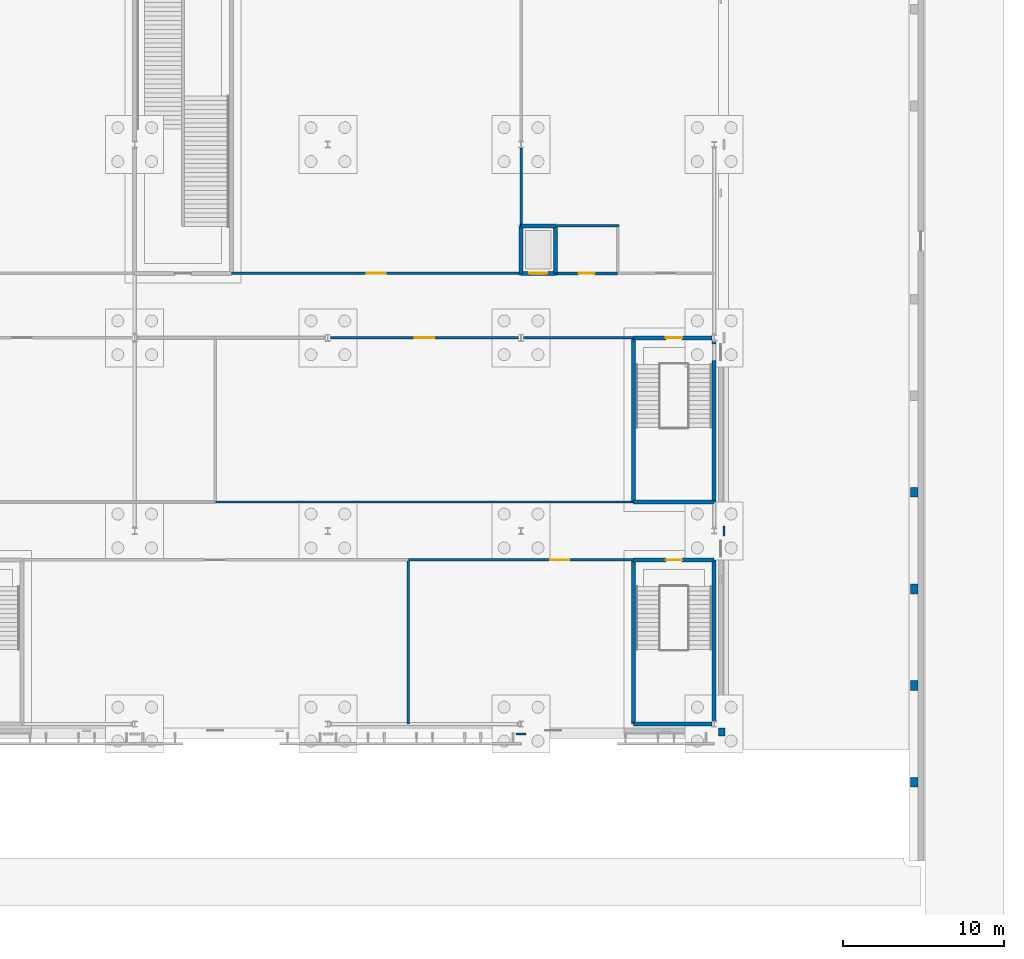
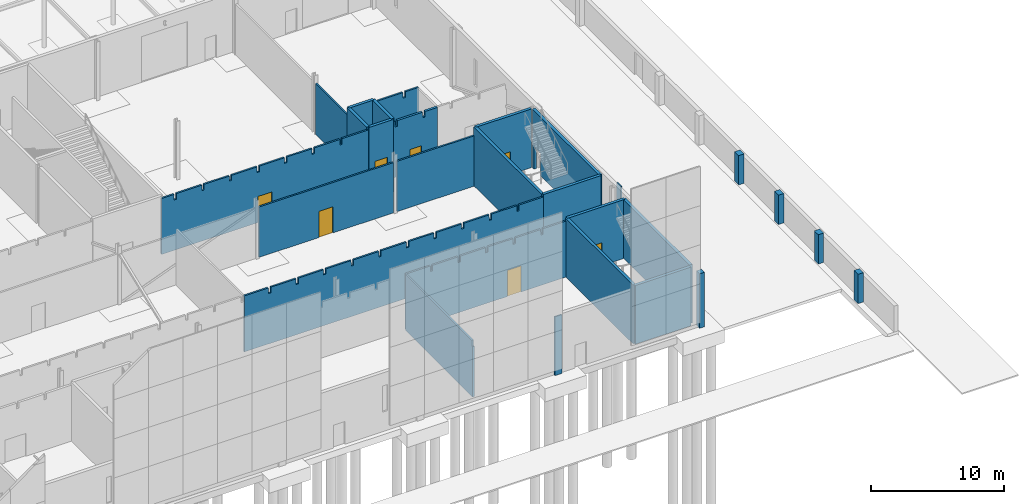
# One storey, part 89 of 132: 28 walls, 7 doors, 8 openings.
"""IFC4 building model written with IfcOpenShell, lengths in metres."""

import ifcopenshell
import ifcopenshell.guid

model = None  # the IFC model being written
_history = None  # IfcOwnerHistory: only IFC2X3 demands one
_inside = {}  # id of a spatial element -> (the spatial element, [elements in it])
_under = {}  # id of a project, library or spatial element -> (it, [spatial elements below it])
_declared = {}  # id of a project -> (the project, [libraries it declares])
_typed = {}  # id of a type object -> (the type object, [elements of that type])
_made_of = {}  # id of a material, layer set ... -> (it, [elements and type objects made of it])


def new_model(schema):
    """Start an empty IFC model of exactly this schema.

    Asked for "IFC4X3", IfcOpenShell would pick the latest addendum, in which some entities
    have other attributes; the version numbers below select the first issue.
    IFC2X3 requires an IfcOwnerHistory on every rooted entity: one is made here for all.
    """
    global model, _history
    if schema == "IFC4X3":
        model = ifcopenshell.file(schema_version=(4, 3, 0, 0))
    else:
        model = ifcopenshell.file(schema=schema)
    _inside.clear()
    _under.clear()
    _declared.clear()
    _typed.clear()
    _made_of.clear()
    _history = None
    if model.schema == "IFC2X3":
        org = make("IfcOrganization", Name="unknown")
        user = make(
            "IfcPersonAndOrganization",
            ThePerson=make("IfcPerson", FamilyName="unknown"),
            TheOrganization=org,
        )
        app = make(
            "IfcApplication",
            ApplicationDeveloper=org,
            Version="unknown",
            ApplicationFullName="unknown",
            ApplicationIdentifier="unknown",
        )
        _history = make(
            "IfcOwnerHistory",
            OwningUser=user,
            OwningApplication=app,
            ChangeAction="ADDED",
            CreationDate=0,
        )
    return model


def make(cls, **values):
    """One entity of the class cls with the attributes given. An attribute that is None is left unset."""
    return model.create_entity(
        cls, **{name: value for name, value in values.items() if value is not None}
    )


def rooted(cls, **values):
    """An entity with a GlobalId (a new one), such as an element, a storey or a relation."""
    return make(cls, GlobalId=ifcopenshell.guid.new(), OwnerHistory=_history, **values)


def si_unit(unit_type, name, prefix=None):
    """IfcSIUnit, for example si_unit("LENGTHUNIT", "METRE", prefix="MILLI")."""
    return make("IfcSIUnit", UnitType=unit_type, Prefix=prefix, Name=name)


def assignment(units):
    """IfcUnitAssignment: the units of a project."""
    return None if units is None else make("IfcUnitAssignment", Units=units)


def point(xyz):
    """IfcCartesianPoint."""
    return None if xyz is None else make("IfcCartesianPoint", Coordinates=xyz)


def direction(xyz):
    """IfcDirection."""
    return None if xyz is None else make("IfcDirection", DirectionRatios=xyz)


def frame(location, z_axis=None, x_axis=None):
    """IfcAxis2Placement3D, a coordinate frame: its origin and axes. An axis left out is left unset."""
    return make(
        "IfcAxis2Placement3D",
        Location=point(location),
        Axis=direction(z_axis),
        RefDirection=direction(x_axis),
    )


def frame_2d(location, x_axis=None):
    """IfcAxis2Placement2D, a coordinate frame in the plane: its origin and x axis."""
    return make(
        "IfcAxis2Placement2D", Location=point(location), RefDirection=direction(x_axis)
    )


def origin():
    """The frame at (0, 0, 0) with its axes left unset."""
    return frame((0.0, 0.0, 0.0))


def place(relative_to, where):
    """IfcLocalPlacement: puts the frame where relative to a parent placement (None: the world)."""
    return make(
        "IfcLocalPlacement", PlacementRelTo=relative_to, RelativePlacement=where
    )


def context(
    kind, dimensions, precision=None, world=None, true_north=None, identifier=None
):
    """IfcGeometricRepresentationContext, for example the 3D "Model" context."""
    return make(
        "IfcGeometricRepresentationContext",
        ContextIdentifier=identifier,
        ContextType=kind,
        CoordinateSpaceDimension=dimensions,
        Precision=precision,
        WorldCoordinateSystem=world,
        TrueNorth=true_north,
    )


def subcontext(parent, identifier, kind, view, scale=None):
    """IfcGeometricRepresentationSubContext, for example "Body" below "Model"."""
    return make(
        "IfcGeometricRepresentationSubContext",
        ContextIdentifier=identifier,
        ContextType=kind,
        ParentContext=parent,
        TargetScale=scale,
        TargetView=view,
    )


def project(units=None, contexts=None):
    """IfcProject with its units and contexts."""
    return rooted(
        "IfcProject",
        Name="project",
        RepresentationContexts=contexts,
        UnitsInContext=assignment(units),
    )


def spatial(cls, under=None, at=None, **own):
    """A site, building, storey or space (cls), placed at a placement, below another one or the project."""
    s = rooted(cls, ObjectPlacement=at, **own)
    if under is not None:
        _under.setdefault(under.id(), (under, []))[1].append(s)
    return s


def polyline(points):
    """IfcPolyline through the points."""
    return make("IfcPolyline", Points=[point(p) for p in points])


def profile(cls, at=None, kind="AREA", **sizes):
    """A parametric profile (cls). Its sizes go by their IFC names, for example OverallWidth=200.0."""
    return make(cls, ProfileType=kind, Position=at, **sizes)


def rectangle(**sizes):
    """IfcRectangleProfileDef."""
    return profile("IfcRectangleProfileDef", **sizes)


def outline(outer, holes=None, kind="AREA"):
    """IfcArbitraryClosedProfileDef: a profile drawn as a closed curve; with holes, ...WithVoids."""
    if holes is None:
        return make("IfcArbitraryClosedProfileDef", ProfileType=kind, OuterCurve=outer)
    return make(
        "IfcArbitraryProfileDefWithVoids",
        ProfileType=kind,
        OuterCurve=outer,
        InnerCurves=holes,
    )


def extrude(swept, where, along, depth):
    """IfcExtrudedAreaSolid: the profile swept, set in the frame where, extruded along a direction by depth."""
    return make(
        "IfcExtrudedAreaSolid",
        SweptArea=swept,
        Position=where,
        ExtrudedDirection=direction(along),
        Depth=depth,
    )


def shape(context_of_items, identifier, shape_type, items):
    """IfcShapeRepresentation: the items that make up one representation, for example the "Body"."""
    return make(
        "IfcShapeRepresentation",
        ContextOfItems=context_of_items,
        RepresentationIdentifier=identifier,
        RepresentationType=shape_type,
        Items=items,
    )


def material(Name=None, Category=None):
    """IfcMaterial."""
    return make("IfcMaterial", Name=Name, Category=Category)


def layer(
    of_material, thickness, ventilated=None, Name=None, Category=None, Priority=None
):
    """IfcMaterialLayer: one layer of a wall or slab, of a material (None: an air gap)."""
    return make(
        "IfcMaterialLayer",
        Material=of_material,
        LayerThickness=thickness,
        IsVentilated=ventilated,
        Name=Name,
        Category=Category,
        Priority=Priority,
    )


def layer_set(layers, Name=None):
    """IfcMaterialLayerSet."""
    return make("IfcMaterialLayerSet", MaterialLayers=layers, LayerSetName=Name)


def made_of(thing, what):
    """Note that an element or type object is made of a material, layer set ...; save() writes the relation."""
    if what is not None:
        _made_of.setdefault(what.id(), (what, []))[1].append(thing)
    return thing


def type_object(cls, material=None, **own):
    """A type object (cls), such as IfcWallType, which elements share."""
    return made_of(rooted(cls, **own), material)


def element(
    cls,
    number,
    at=None,
    inside=None,
    cuts=None,
    type_object=None,
    material=None,
    context=None,
    identifier="Body",
    shape_type=None,
    held_by="IfcProductDefinitionShape",
    body=None,
    shapes=None,
    **own,
):
    """One element of the class cls, such as IfcWall. Its Tag is "e" and its number.

    at: its placement. inside: the storey or other place that contains it. cuts: it is an
    opening in that element (IfcRelVoidsElement). A single representation is given by context,
    identifier, shape_type and body (its items); several are given by shapes. held_by: the class
    of the entity that holds the representations. save() writes the other relations.
    """
    e = rooted(cls, Tag="e%d" % number, ObjectPlacement=at, **own)
    if body is not None:
        shapes = [shape(context, identifier, shape_type, body)]
    if shapes is not None:
        e.Representation = make(held_by, Representations=shapes)
    if inside is not None:
        _inside.setdefault(inside.id(), (inside, []))[1].append(e)
    if cuts is not None:
        rooted(
            "IfcRelVoidsElement", RelatingBuildingElement=cuts, RelatedOpeningElement=e
        )
    if type_object is not None:
        _typed.setdefault(type_object.id(), (type_object, []))[1].append(e)
    return made_of(e, material)


def fill(opening, filler):
    """IfcRelFillsElement: the door or window that sits in an opening."""
    return rooted(
        "IfcRelFillsElement",
        RelatingOpeningElement=opening,
        RelatedBuildingElement=filler,
    )


def aggregate(whole, parts):
    """IfcRelAggregates: a whole, such as a stair, and the parts it consists of."""
    return rooted("IfcRelAggregates", RelatingObject=whole, RelatedObjects=parts)


def save(model, path):
    """Write the relations noted so far, then the file.

    IfcRelAggregates (storeys below a building ...), IfcRelContainedInSpatialStructure (elements
    in a storey), IfcRelDefinesByType, IfcRelAssociatesMaterial and IfcRelDeclares: one each for
    every whole, place, type object, material and project.
    """
    for whole, parts in _under.values():
        aggregate(whole, parts)
    for where, things in _inside.values():
        rooted(
            "IfcRelContainedInSpatialStructure",
            RelatedElements=things,
            RelatingStructure=where,
        )
    for kind, things in _typed.values():
        rooted("IfcRelDefinesByType", RelatedObjects=things, RelatingType=kind)
    for what, things in _made_of.values():
        rooted("IfcRelAssociatesMaterial", RelatedObjects=things, RelatingMaterial=what)
    for by, libraries in _declared.values():
        rooted("IfcRelDeclares", RelatingContext=by, RelatedDefinitions=libraries)
    model.write(path)


model = new_model("IFC4")

# Units and contexts
model_context = context("Model", 3, precision=1e-05, world=origin(), true_north=direction((0.0, 1.0)))
body_context = subcontext(model_context, "Body", "Model", "MODEL_VIEW")
ifc_project = project(units=[si_unit("LENGTHUNIT", "METRE"), si_unit("AREAUNIT", "SQUARE_METRE"), si_unit("VOLUMEUNIT", "CUBIC_METRE"), si_unit("PLANEANGLEUNIT", "RADIAN"), si_unit("MASSUNIT", "GRAM", prefix="KILO")], contexts=[model_context])

# Site, building, storey
site_placement = place(None, origin())
site = spatial("IfcSite", under=ifc_project, at=site_placement, CompositionType="ELEMENT")
building_placement = place(site_placement, origin())
building = spatial("IfcBuilding", under=site, at=building_placement, Name="Ravi Spectrum Wholesale Market", CompositionType="ELEMENT")
storey_placement = place(building_placement, origin())
storey = spatial("IfcBuildingStorey", under=building, at=storey_placement, Name="L00", CompositionType="ELEMENT", Elevation=0.0)

# Wall, opening, door
ifc_material_1 = material(Name="Concrete blockwork", Category="masonry")
ifc_layer_1 = layer(ifc_material_1, 0.199951171875)
ifc_layer_set_1 = layer_set([ifc_layer_1], Name="Concrete blockwork")
wall_type_1 = type_object("IfcWallType", Name="Blockwork partition 200 fire", PredefinedType="PARTITIONING", material=ifc_layer_set_1)
wall_1_placement = place(storey_placement, frame((272.14990234375, 46.0, 0.0), z_axis=(0.0, 0.0, 1.0), x_axis=(1.0, 0.0, 0.0)))
wall_1 = element("IfcWall", 1, at=wall_1_placement, inside=storey, type_object=wall_type_1, Name="CS-WL-L00-089", PredefinedType="PARTITIONING", context=body_context, shape_type="SweptSolid", body=[
    extrude(outline(polyline([(0.0, 0.0), (3.85009765625, 0.0), (3.85009765625, 5.14990234375), (2.7548828125, 5.14990234375), (2.75, 4.6298828125), (2.550048828125, 4.6298828125), (2.544921875, 5.14990234375), (0.35498046875, 5.14990234375), (0.35009765625, 4.6298828125), (0.14990234375, 4.6298828125), (0.14501953125, 5.14990234375), (0.0, 5.14990234375), (0.0, 0.0)])), frame((0.0, 0.10009765625, 0.0), z_axis=(0.0, -1.0, 0.0), x_axis=(1.0, 0.0, 0.0)), (0.0, 0.0, 1.0), 0.199951171875),
])
opening_1_placement = place(wall_1_placement, frame((1.425048828125, 0.0, 0.0)))
opening_1 = element("IfcOpeningElement", 2, at=opening_1_placement, cuts=wall_1, Name="Opening D494", PredefinedType="OPENING", context=body_context, shape_type="SweptSolid", body=[
    extrude(rectangle(XDim=1.0, YDim=2.10009765625, at=frame_2d((0.5, 1.050048828125))), frame((0.0, 0.10986328125, 0.0), z_axis=(0.0, -1.0, 0.0), x_axis=(1.0, 0.0, 0.0)), (0.0, 0.0, 1.0), 0.219970703125),
])
ifc_material_2 = material(Name="Steel door", Category="steel")
door_type_1 = type_object("IfcDoorType", Name="Plant room door 1000 x 2100", OperationType="SINGLE_SWING_LEFT", PredefinedType="DOOR", material=ifc_material_2)
door_1_placement = place(opening_1_placement, origin())
door_1 = element("IfcDoor", 3, at=door_1_placement, inside=storey, type_object=door_type_1, Name="Riser access door D494", OperationType="SINGLE_SWING_RIGHT", OverallHeight=2.10009765625, OverallWidth=1.0, PredefinedType="DOOR", context=body_context, shape_type="SweptSolid", body=[
    extrude(rectangle(XDim=1.0, YDim=2.10009765625, at=frame_2d((0.5, 1.050048828125))), frame((0.0, 0.02490234375, 0.0), z_axis=(0.0, -1.0, 0.0), x_axis=(1.0, 0.0, 0.0)), (0.0, 0.0, 1.0), 0.050048828125),
])
fill(opening_1, door_1)

# Walls
ifc_material_3 = material(Name="Clinker brickwork", Category="masonry")
ifc_layer_2 = layer(ifc_material_3, 0.4599609375)
ifc_layer_set_2 = layer_set([ifc_layer_2], Name="Clinker brickwork")
wall_type_2 = type_object("IfcWallType", Name="Brick 460 pier wall", PredefinedType="SOLIDWALL", material=ifc_layer_set_2)
for number, where, z_axis, x_axis, name in (
    (4, (294.429931640625, 14.10009765625, 0.0), (0.0, 0.0, 1.0), (0.0, 1.0, 0.0), "ST-WL-L00-042"),
    (5, (294.429931640625, 20.10009765625, 0.0), (0.0, 0.0, 1.0), (0.0, 1.0, 0.0), "ST-WL-L00-043"),
    (6, (294.429931640625, 26.10009765625, 0.0), (0.0, 0.0, 1.0), (0.0, 1.0, 0.0), "ST-WL-L00-044"),
    (7, (294.429931640625, 32.10009765625, 0.0), (0.0, 0.0, 1.0), (0.0, 1.0, 0.0), "ST-WL-L00-045"),
):
    element("IfcWall", number, at=place(storey_placement, frame(where, z_axis=z_axis, x_axis=x_axis)), inside=storey, type_object=wall_type_2, Name=name, PredefinedType="SOLIDWALL", context=body_context, shape_type="SweptSolid", body=[
        extrude(rectangle(XDim=0.599853515625, YDim=0.4599609375, at=frame_2d((0.2998046875, 0.0))), origin(), (0.0, 0.0, 1.0), 2.699951171875),
    ])
ifc_material_4 = material(Name="Clinker brickwork", Category="masonry")
ifc_layer_3 = layer(ifc_material_4, 0.485107421875)
ifc_layer_set_3 = layer_set([ifc_layer_3], Name="Clinker brickwork")
wall_type_3 = type_object("IfcWallType", Name="Brick pier 485", PredefinedType="SOLIDWALL", material=ifc_layer_set_3)
wall_2_placement = place(storey_placement, frame((282.25, 17.507568359375, 0.0), z_axis=(0.0, 0.0, 1.0), x_axis=(1.0, 0.0, 0.0)))
element("IfcWall", 8, at=wall_2_placement, inside=storey, type_object=wall_type_3, Name="CS-WL-L00-032", PredefinedType="SOLIDWALL", context=body_context, shape_type="SweptSolid", body=[
    extrude(rectangle(XDim=0.4150390625, YDim=0.485107421875, at=frame_2d((0.20751953125, 0.0))), origin(), (0.0, 0.0, 1.0), 5.010009765625),
])
ifc_material_5 = material(Name="Facing brickwork", Category="masonry")
ifc_layer_4 = layer(ifc_material_5, 0.114990234375)
ifc_layer_set_4 = layer_set([ifc_layer_4], Name="Facing brickwork")
wall_type_4 = type_object("IfcWallType", Name="Brick pilaster 115", PredefinedType="SOLIDWALL", material=ifc_layer_set_4)
for number, where, z_axis, x_axis, name in (
    (9, (269.699951171875, 17.392578125, 0.0), (0.0, 0.0, 1.0), (1.0, 0.0, 0.0), "CS-WL-L00-041"),
    (10, (282.607421875, 29.699951171875, 0.0), (0.0, 0.0, 1.0), (0.0, 1.0, 0.0), "CS-WL-L00-043"),
):
    element("IfcWall", number, at=place(storey_placement, frame(where, z_axis=z_axis, x_axis=x_axis)), inside=storey, type_object=wall_type_4, Name=name, PredefinedType="SOLIDWALL", context=body_context, shape_type="SweptSolid", body=[
        extrude(rectangle(XDim=0.60009765625, YDim=0.114990234375, at=frame_2d((0.300048828125, 0.0))), origin(), (0.0, 0.0, 1.0), 5.39990234375),
    ])

# Wall, opening, door
ifc_material_6 = material(Name="Insulated panel")
ifc_layer_5 = layer(ifc_material_6, 0.14990234375)
ifc_layer_set_5 = layer_set([ifc_layer_5], Name="Insulated panel")
wall_type_5 = type_object("IfcWallType", Name="Cold store panel 150", PredefinedType="PARTITIONING", material=ifc_layer_set_5)
wall_3_placement = place(storey_placement, frame((263.0, 28.199951171875, 0.0), z_axis=(0.0, 0.0, 1.0), x_axis=(1.0, 0.0, 0.0)))
wall_3 = element("IfcWall", 11, at=wall_3_placement, inside=storey, type_object=wall_type_5, Name="CS-WL-L00-071", PredefinedType="PARTITIONING", context=body_context, shape_type="SweptSolid", body=[
    extrude(outline(polyline([(0.0, 0.0), (14.0, 0.0), (14.0, 5.14990234375), (11.905029296875, 5.14990234375), (11.89990234375, 4.6298828125), (11.699951171875, 4.6298828125), (11.695068359375, 5.14990234375), (9.5048828125, 5.14990234375), (9.5, 4.6298828125), (9.300048828125, 4.6298828125), (9.294921875, 5.14990234375), (7.10009765625, 5.14990234375), (7.094970703125, 4.679931640625), (6.905029296875, 4.679931640625), (6.89990234375, 5.14990234375), (4.705078125, 5.14990234375), (4.699951171875, 4.6298828125), (4.5, 4.6298828125), (4.4951171875, 5.14990234375), (2.304931640625, 5.14990234375), (2.300048828125, 4.6298828125), (2.10009765625, 4.6298828125), (2.094970703125, 5.14990234375), (0.0, 5.14990234375), (0.0, 0.0)])), frame((0.0, 0.074951171875, 0.0), z_axis=(0.0, -1.0, 0.0), x_axis=(1.0, 0.0, 0.0)), (0.0, 0.0, 1.0), 0.14990234375),
])
opening_2_placement = place(wall_3_placement, frame((8.800048828125, 0.0, 0.0)))
opening_2 = element("IfcOpeningElement", 12, at=opening_2_placement, cuts=wall_3, Name="Opening D465", PredefinedType="OPENING", context=body_context, shape_type="SweptSolid", body=[
    extrude(rectangle(XDim=1.199951171875, YDim=2.39990234375, at=frame_2d((0.60009765625, 1.199951171875))), frame((0.0, 0.0849609375, 0.0), z_axis=(0.0, -1.0, 0.0), x_axis=(1.0, 0.0, 0.0)), (0.0, 0.0, 1.0), 0.169921875),
])
ifc_material_7 = material(Name="Insulated panel door")
door_type_2 = type_object("IfcDoorType", Name="Cold store insulated door 1200 x 2400", OperationType="SINGLE_SWING_LEFT", PredefinedType="DOOR", material=ifc_material_7)
door_2_placement = place(opening_2_placement, origin())
door_2 = element("IfcDoor", 13, at=door_2_placement, inside=storey, type_object=door_type_2, Name="Door D465", OperationType="SINGLE_SWING_LEFT", OverallHeight=2.39990234375, OverallWidth=1.199951171875, PredefinedType="DOOR", context=body_context, shape_type="SweptSolid", body=[
    extrude(rectangle(XDim=1.199951171875, YDim=2.39990234375, at=frame_2d((0.60009765625, 1.199951171875))), frame((0.0, 0.02490234375, 0.0), z_axis=(0.0, -1.0, 0.0), x_axis=(1.0, 0.0, 0.0)), (0.0, 0.0, 1.0), 0.050048828125),
])
fill(opening_2, door_2)

# Wall
wall_4_placement = place(storey_placement, frame((251.0, 31.800048828125, 0.0), z_axis=(0.0, 0.0, 1.0), x_axis=(1.0, 0.0, 0.0)))
element("IfcWall", 14, at=wall_4_placement, inside=storey, type_object=wall_type_5, Name="CS-WL-L00-074", PredefinedType="PARTITIONING", context=body_context, shape_type="SweptSolid", body=[
    extrude(outline(polyline([(0.0, 0.0), (26.0, 0.0), (26.0, 5.14990234375), (23.905029296875, 5.14990234375), (23.89990234375, 4.6298828125), (23.699951171875, 4.6298828125), (23.695068359375, 5.14990234375), (21.5048828125, 5.14990234375), (21.5, 4.6298828125), (21.300048828125, 4.6298828125), (21.294921875, 5.14990234375), (19.10009765625, 5.14990234375), (19.094970703125, 4.679931640625), (18.905029296875, 4.679931640625), (18.89990234375, 5.14990234375), (16.705078125, 5.14990234375), (16.699951171875, 4.6298828125), (16.5, 4.6298828125), (16.4951171875, 5.14990234375), (14.304931640625, 5.14990234375), (14.300048828125, 4.6298828125), (14.10009765625, 4.6298828125), (14.094970703125, 5.14990234375), (11.905029296875, 5.14990234375), (11.89990234375, 4.6298828125), (11.699951171875, 4.6298828125), (11.695068359375, 5.14990234375), (9.5048828125, 5.14990234375), (9.5, 4.6298828125), (9.300048828125, 4.6298828125), (9.294921875, 5.14990234375), (7.10009765625, 5.14990234375), (7.094970703125, 4.679931640625), (6.905029296875, 4.679931640625), (6.89990234375, 5.14990234375), (4.705078125, 5.14990234375), (4.699951171875, 4.6298828125), (4.5, 4.6298828125), (4.4951171875, 5.14990234375), (2.304931640625, 5.14990234375), (2.300048828125, 4.6298828125), (2.10009765625, 4.6298828125), (2.094970703125, 5.14990234375), (0.0, 5.14990234375), (0.0, 0.0)])), frame((0.0, 0.074951171875, 0.0), z_axis=(0.0, -1.0, 0.0), x_axis=(1.0, 0.0, 0.0)), (0.0, 0.0, 1.0), 0.14990234375),
])

# Wall, opening, door
wall_5_placement = place(storey_placement, frame((258.14990234375, 42.0, 0.0), z_axis=(0.0, 0.0, 1.0), x_axis=(1.0, 0.0, 0.0)))
wall_5 = element("IfcWall", 15, at=wall_5_placement, inside=storey, type_object=wall_type_5, Name="CS-WL-L00-082", PredefinedType="PARTITIONING", context=body_context, shape_type="SweptSolid", body=[
    extrude(rectangle(XDim=11.7001953125, YDim=0.14990234375, at=frame_2d((5.85009765625, 0.0))), origin(), (0.0, 0.0, 1.0), 4.6298828125),
])
opening_3_placement = place(wall_5_placement, frame((5.25, 0.0, 0.0)))
opening_3 = element("IfcOpeningElement", 16, at=opening_3_placement, cuts=wall_5, Name="Opening D468", PredefinedType="OPENING", context=body_context, shape_type="SweptSolid", body=[
    extrude(rectangle(XDim=1.199951171875, YDim=2.39990234375, at=frame_2d((0.60009765625, 1.199951171875))), frame((0.0, 0.0849609375, 0.0), z_axis=(0.0, -1.0, 0.0), x_axis=(1.0, 0.0, 0.0)), (0.0, 0.0, 1.0), 0.169921875),
])
door_3_placement = place(opening_3_placement, origin())
door_3 = element("IfcDoor", 17, at=door_3_placement, inside=storey, type_object=door_type_2, Name="Door D468", OperationType="SINGLE_SWING_LEFT", OverallHeight=2.39990234375, OverallWidth=1.199951171875, PredefinedType="DOOR", context=body_context, shape_type="SweptSolid", body=[
    extrude(rectangle(XDim=1.199951171875, YDim=2.39990234375, at=frame_2d((0.60009765625, 1.199951171875))), frame((0.0, 0.02490234375, 0.0), z_axis=(0.0, -1.0, 0.0), x_axis=(1.0, 0.0, 0.0)), (0.0, 0.0, 1.0), 0.050048828125),
])
fill(opening_3, door_3)

# Wall
wall_6_placement = place(storey_placement, frame((270.14990234375, 42.0, 0.0), z_axis=(0.0, 0.0, 1.0), x_axis=(1.0, 0.0, 0.0)))
element("IfcWall", 18, at=wall_6_placement, inside=storey, type_object=wall_type_5, Name="CS-WL-L00-083", PredefinedType="PARTITIONING", context=body_context, shape_type="SweptSolid", body=[
    extrude(rectangle(XDim=6.85009765625, YDim=0.14990234375, at=frame_2d((3.425048828125, 0.0))), origin(), (0.0, 0.0, 1.0), 4.6298828125),
])

# Wall, opening, door
wall_7_placement = place(storey_placement, frame((252.0, 46.0, 0.0), z_axis=(0.0, 0.0, 1.0), x_axis=(1.0, 0.0, 0.0)))
wall_7 = element("IfcWall", 19, at=wall_7_placement, inside=storey, type_object=wall_type_5, Name="CS-WL-L00-088", PredefinedType="PARTITIONING", context=body_context, shape_type="SweptSolid", body=[
    extrude(outline(polyline([(0.0, 0.0), (18.0, 0.0), (18.0, 5.14990234375), (15.705078125, 5.14990234375), (15.699951171875, 4.6298828125), (15.5, 4.6298828125), (15.4951171875, 5.14990234375), (13.304931640625, 5.14990234375), (13.300048828125, 4.6298828125), (13.10009765625, 4.6298828125), (13.094970703125, 5.14990234375), (10.905029296875, 5.14990234375), (10.89990234375, 4.6298828125), (10.699951171875, 4.6298828125), (10.695068359375, 5.14990234375), (8.5048828125, 5.14990234375), (8.5, 4.6298828125), (8.300048828125, 4.6298828125), (8.294921875, 5.14990234375), (6.10009765625, 5.14990234375), (6.094970703125, 4.679931640625), (5.905029296875, 4.679931640625), (5.89990234375, 5.14990234375), (3.705078125, 5.14990234375), (3.699951171875, 4.6298828125), (3.5, 4.6298828125), (3.4951171875, 5.14990234375), (1.304931640625, 5.14990234375), (1.300048828125, 4.6298828125), (1.10009765625, 4.6298828125), (1.094970703125, 5.14990234375), (0.0, 5.14990234375), (0.0, 0.0)])), frame((0.0, 0.074951171875, 0.0), z_axis=(0.0, -1.0, 0.0), x_axis=(1.0, 0.0, 0.0)), (0.0, 0.0, 1.0), 0.14990234375),
])
opening_4_placement = place(wall_7_placement, frame((8.39990234375, 0.0, 0.0)))
opening_4 = element("IfcOpeningElement", 20, at=opening_4_placement, cuts=wall_7, Name="Opening D472", PredefinedType="OPENING", context=body_context, shape_type="SweptSolid", body=[
    extrude(rectangle(XDim=1.199951171875, YDim=2.39990234375, at=frame_2d((0.60009765625, 1.199951171875))), frame((0.0, 0.0849609375, 0.0), z_axis=(0.0, -1.0, 0.0), x_axis=(1.0, 0.0, 0.0)), (0.0, 0.0, 1.0), 0.169921875),
])
door_4_placement = place(opening_4_placement, origin())
door_4 = element("IfcDoor", 21, at=door_4_placement, inside=storey, type_object=door_type_2, Name="Door D472", OperationType="SINGLE_SWING_LEFT", OverallHeight=2.39990234375, OverallWidth=1.199951171875, PredefinedType="DOOR", context=body_context, shape_type="SweptSolid", body=[
    extrude(rectangle(XDim=1.199951171875, YDim=2.39990234375, at=frame_2d((0.60009765625, 1.199951171875))), frame((0.0, 0.02490234375, 0.0), z_axis=(0.0, -1.0, 0.0), x_axis=(1.0, 0.0, 0.0)), (0.0, 0.0, 1.0), 0.050048828125),
])
fill(opening_4, door_4)

# Walls
wall_8_placement = place(storey_placement, frame((272.14990234375, 48.949951171875, 0.0), z_axis=(0.0, 0.0, 1.0), x_axis=(1.0, 0.0, 0.0)))
element("IfcWall", 22, at=wall_8_placement, inside=storey, type_object=wall_type_5, Name="CS-WL-L00-092", PredefinedType="PARTITIONING", context=body_context, shape_type="SweptSolid", body=[
    extrude(outline(polyline([(0.0, 0.0), (3.925048828125, 0.0), (3.925048828125, 5.14990234375), (2.7548828125, 5.14990234375), (2.75, 4.6298828125), (2.550048828125, 4.6298828125), (2.544921875, 5.14990234375), (0.35498046875, 5.14990234375), (0.35009765625, 4.6298828125), (0.14990234375, 4.6298828125), (0.14501953125, 5.14990234375), (0.0, 5.14990234375), (0.0, 0.0)])), frame((0.0, 0.074951171875, 0.0), z_axis=(0.0, -1.0, 0.0), x_axis=(1.0, 0.0, 0.0)), (0.0, 0.0, 1.0), 0.14990234375),
])
wall_9_placement = place(storey_placement, frame((263.0, 18.0, 0.0), z_axis=(0.0, 0.0, 1.0), x_axis=(0.0, 1.0, 0.0)))
element("IfcWall", 23, at=wall_9_placement, inside=storey, type_object=wall_type_5, Name="CS-WL-L00-101", PredefinedType="PARTITIONING", context=body_context, shape_type="SweptSolid", body=[
    extrude(outline(polyline([(0.0, 0.0), (10.125, 0.0), (10.125, 5.14990234375), (0.10498046875, 5.14990234375), (0.10009765625, 4.6298828125), (0.0, 4.6298828125), (0.0, 0.0)])), frame((0.0, 0.074951171875, 0.0), z_axis=(0.0, -1.0, 0.0), x_axis=(1.0, 0.0, 0.0)), (0.0, 0.0, 1.0), 0.14990234375),
])
wall_10_placement = place(storey_placement, frame((270.0, 48.949951171875, 0.0), z_axis=(0.0, 0.0, 1.0), x_axis=(0.0, 1.0, 0.0)))
element("IfcWall", 24, at=wall_10_placement, inside=storey, type_object=wall_type_5, Name="CS-WL-L00-102", PredefinedType="PARTITIONING", context=body_context, shape_type="SweptSolid", body=[
    extrude(rectangle(XDim=4.85009765625, YDim=0.14990234375, at=frame_2d((2.425048828125, 0.0))), origin(), (0.0, 0.0, 1.0), 4.679931640625),
])
ifc_material_8 = material(Name="Concrete C35/45", Category="concrete")
ifc_layer_6 = layer(ifc_material_8, 0.25)
ifc_layer_set_6 = layer_set([ifc_layer_6], Name="Concrete C35/45")
wall_type_6 = type_object("IfcWallType", Name="Concrete core wall 250", PredefinedType="SHEAR", material=ifc_layer_set_6)
wall_11_placement = place(storey_placement, frame((277.0, 31.800048828125, 0.0), z_axis=(0.0, 0.0, 1.0), x_axis=(1.0, 0.0, 0.0)))
element("IfcWall", 25, at=wall_11_placement, inside=storey, type_object=wall_type_6, Name="Stair core wall Stair S-CS-2", PredefinedType="SHEAR", context=body_context, shape_type="SweptSolid", body=[
    extrude(rectangle(XDim=5.0, YDim=0.25, at=frame_2d((2.5, 0.0))), origin(), (0.0, 0.0, 1.0), 5.39990234375),
])

# Wall, opening
wall_12_placement = place(storey_placement, frame((282.0, 31.800048828125, 0.0), z_axis=(0.0, 0.0, 1.0), x_axis=(0.0, 1.0, 0.0)))
wall_12 = element("IfcWall", 26, at=wall_12_placement, inside=storey, type_object=wall_type_6, Name="Stair core wall Stair S-CS-2", PredefinedType="SHEAR", context=body_context, shape_type="SweptSolid", body=[
    extrude(rectangle(XDim=10.030029296875, YDim=0.25, at=frame_2d((5.01513671875, 0.0))), origin(), (0.0, 0.0, 1.0), 5.39990234375),
])
opening_5_placement = place(wall_12_placement, frame((8.800048828125, 0.0, 0.0)))
element("IfcOpeningElement", 27, at=opening_5_placement, cuts=wall_12, Name="Opening CS-OP-L00-017", PredefinedType="OPENING", context=body_context, shape_type="SweptSolid", body=[
    extrude(rectangle(XDim=1.0, YDim=2.10009765625, at=frame_2d((0.5, 1.050048828125))), frame((0.0, 0.135009765625, 0.0), z_axis=(0.0, -1.0, 0.0), x_axis=(1.0, 0.0, 0.0)), (0.0, 0.0, 1.0), 0.27001953125),
])

# Wall, opening, door
wall_13_placement = place(storey_placement, frame((277.0, 42.0, 0.0), z_axis=(0.0, 0.0, 1.0), x_axis=(1.0, 0.0, 0.0)))
wall_13 = element("IfcWall", 28, at=wall_13_placement, inside=storey, type_object=wall_type_6, Name="Stair core wall Stair S-CS-2", PredefinedType="SHEAR", context=body_context, shape_type="SweptSolid", body=[
    extrude(rectangle(XDim=4.85009765625, YDim=0.25, at=frame_2d((2.425048828125, 0.0))), origin(), (0.0, 0.0, 1.0), 5.39990234375),
])
opening_6_placement = place(wall_13_placement, frame((2.0, 0.0, 0.0)))
opening_6 = element("IfcOpeningElement", 29, at=opening_6_placement, cuts=wall_13, Name="Opening D451", PredefinedType="OPENING", context=body_context, shape_type="SweptSolid", body=[
    extrude(rectangle(XDim=1.0, YDim=2.10009765625, at=frame_2d((0.5, 1.050048828125))), frame((0.0, 0.135009765625, 0.0), z_axis=(0.0, -1.0, 0.0), x_axis=(1.0, 0.0, 0.0)), (0.0, 0.0, 1.0), 0.27001953125),
])
ifc_material_9 = material(Name="Steel door", Category="steel")
door_type_3 = type_object("IfcDoorType", Name="Stair door 1000 x 2100", OperationType="SINGLE_SWING_LEFT", PredefinedType="DOOR", material=ifc_material_9)
door_5_placement = place(opening_6_placement, origin())
door_5 = element("IfcDoor", 30, at=door_5_placement, inside=storey, type_object=door_type_3, Name="Door D451", OperationType="SINGLE_SWING_RIGHT", OverallHeight=2.10009765625, OverallWidth=1.0, PredefinedType="DOOR", context=body_context, shape_type="SweptSolid", body=[
    extrude(rectangle(XDim=1.0, YDim=2.10009765625, at=frame_2d((0.5, 1.050048828125))), frame((0.0, 0.02490234375, 0.0), z_axis=(0.0, -1.0, 0.0), x_axis=(1.0, 0.0, 0.0)), (0.0, 0.0, 1.0), 0.050048828125),
])
fill(opening_6, door_5)

# Walls
wall_14_placement = place(storey_placement, frame((277.0, 31.800048828125, 0.0), z_axis=(0.0, 0.0, 1.0), x_axis=(0.0, 1.0, 0.0)))
element("IfcWall", 31, at=wall_14_placement, inside=storey, type_object=wall_type_6, Name="Stair core wall Stair S-CS-2", PredefinedType="SHEAR", context=body_context, shape_type="SweptSolid", body=[
    extrude(rectangle(XDim=10.199951171875, YDim=0.25, at=frame_2d((5.10009765625, 0.0))), origin(), (0.0, 0.0, 1.0), 5.39990234375),
])
wall_15_placement = place(storey_placement, frame((277.0, 18.0, 0.0), z_axis=(0.0, 0.0, 1.0), x_axis=(1.0, 0.0, 0.0)))
element("IfcWall", 32, at=wall_15_placement, inside=storey, type_object=wall_type_6, Name="Stair core wall Stair S-CS-7", PredefinedType="SHEAR", context=body_context, shape_type="SweptSolid", body=[
    extrude(rectangle(XDim=4.85009765625, YDim=0.25, at=frame_2d((2.425048828125, 0.0))), origin(), (0.0, 0.0, 1.0), 5.39990234375),
])
wall_16_placement = place(storey_placement, frame((282.0, 18.169921875, 0.0), z_axis=(0.0, 0.0, 1.0), x_axis=(0.0, 1.0, 0.0)))
element("IfcWall", 33, at=wall_16_placement, inside=storey, type_object=wall_type_6, Name="Stair core wall Stair S-CS-7", PredefinedType="SHEAR", context=body_context, shape_type="SweptSolid", body=[
    extrude(rectangle(XDim=10.030029296875, YDim=0.25, at=frame_2d((5.01513671875, 0.0))), origin(), (0.0, 0.0, 1.0), 5.39990234375),
])

# Wall, opening, door
wall_17_placement = place(storey_placement, frame((277.0, 28.199951171875, 0.0), z_axis=(0.0, 0.0, 1.0), x_axis=(1.0, 0.0, 0.0)))
wall_17 = element("IfcWall", 34, at=wall_17_placement, inside=storey, type_object=wall_type_6, Name="Stair core wall Stair S-CS-7", PredefinedType="SHEAR", context=body_context, shape_type="SweptSolid", body=[
    extrude(rectangle(XDim=5.0, YDim=0.25, at=frame_2d((2.5, 0.0))), origin(), (0.0, 0.0, 1.0), 5.39990234375),
])
opening_7_placement = place(wall_17_placement, frame((2.0, 0.0, 0.0)))
opening_7 = element("IfcOpeningElement", 35, at=opening_7_placement, cuts=wall_17, Name="Opening D456", PredefinedType="OPENING", context=body_context, shape_type="SweptSolid", body=[
    extrude(rectangle(XDim=1.0, YDim=2.10009765625, at=frame_2d((0.5, 1.050048828125))), frame((0.0, 0.135009765625, 0.0), z_axis=(0.0, -1.0, 0.0), x_axis=(1.0, 0.0, 0.0)), (0.0, 0.0, 1.0), 0.27001953125),
])
door_6_placement = place(opening_7_placement, origin())
door_6 = element("IfcDoor", 36, at=door_6_placement, inside=storey, type_object=door_type_3, Name="Door D456", OperationType="SINGLE_SWING_RIGHT", OverallHeight=2.10009765625, OverallWidth=1.0, PredefinedType="DOOR", context=body_context, shape_type="SweptSolid", body=[
    extrude(rectangle(XDim=1.0, YDim=2.10009765625, at=frame_2d((0.5, 1.050048828125))), frame((0.0, 0.02490234375, 0.0), z_axis=(0.0, -1.0, 0.0), x_axis=(1.0, 0.0, 0.0)), (0.0, 0.0, 1.0), 0.050048828125),
])
fill(opening_7, door_6)

# Walls
wall_18_placement = place(storey_placement, frame((277.0, 18.0, 0.0), z_axis=(0.0, 0.0, 1.0), x_axis=(0.0, 1.0, 0.0)))
element("IfcWall", 37, at=wall_18_placement, inside=storey, type_object=wall_type_6, Name="Stair core wall Stair S-CS-7", PredefinedType="SHEAR", context=body_context, shape_type="SweptSolid", body=[
    extrude(rectangle(XDim=10.199951171875, YDim=0.25, at=frame_2d((5.10009765625, 0.0))), origin(), (0.0, 0.0, 1.0), 5.39990234375),
])
ifc_material_10 = material(Name="Concrete C35/45", Category="concrete")
ifc_layer_7 = layer(ifc_material_10, 0.25)
ifc_layer_set_7 = layer_set([ifc_layer_7], Name="Concrete C35/45")
wall_type_7 = type_object("IfcWallType", Name="Shaft wall 250", PredefinedType="SHEAR", material=ifc_layer_set_7)
wall_19_placement = place(storey_placement, frame((272.14990234375, 46.0, -1.39990234375), z_axis=(0.0, 0.0, 1.0), x_axis=(0.0, 1.0, 0.0)))
element("IfcWall", 38, at=wall_19_placement, inside=storey, type_object=wall_type_7, Name="CS-WL-L00-LF-CS-2-E", PredefinedType="SHEAR", context=body_context, shape_type="SweptSolid", body=[
    extrude(rectangle(XDim=2.949951171875, YDim=0.25, at=frame_2d((1.47509765625, 0.0))), origin(), (0.0, 0.0, 1.0), 6.7998046875),
])
wall_20_placement = place(storey_placement, frame((272.14990234375, 48.949951171875, -1.39990234375), z_axis=(0.0, 0.0, 1.0), x_axis=(-1.0, 0.0, 0.0)))
element("IfcWall", 39, at=wall_20_placement, inside=storey, type_object=wall_type_7, Name="CS-WL-L00-LF-CS-2-N", PredefinedType="SHEAR", context=body_context, shape_type="SweptSolid", body=[
    extrude(rectangle(XDim=2.14990234375, YDim=0.25, at=frame_2d((1.074951171875, 0.0))), origin(), (0.0, 0.0, 1.0), 6.7998046875),
])

# Wall, opening, door
wall_21_placement = place(storey_placement, frame((270.0, 46.0, -1.39990234375), z_axis=(0.0, 0.0, 1.0), x_axis=(1.0, 0.0, 0.0)))
wall_21 = element("IfcWall", 40, at=wall_21_placement, inside=storey, type_object=wall_type_7, Name="CS-WL-L00-LF-CS-2-S", PredefinedType="SHEAR", context=body_context, shape_type="SweptSolid", body=[
    extrude(rectangle(XDim=2.14990234375, YDim=0.25, at=frame_2d((1.074951171875, 0.0))), origin(), (0.0, 0.0, 1.0), 6.7998046875),
])
opening_8_placement = place(wall_21_placement, frame((0.52490234375, 0.0, 1.39990234375)))
opening_8 = element("IfcOpeningElement", 41, at=opening_8_placement, cuts=wall_21, Name="Opening D458", PredefinedType="OPENING", context=body_context, shape_type="SweptSolid", body=[
    extrude(rectangle(XDim=1.10009765625, YDim=2.10009765625, at=frame_2d((0.550048828125, 1.050048828125))), frame((0.0, 0.135009765625, 0.0), z_axis=(0.0, -1.0, 0.0), x_axis=(1.0, 0.0, 0.0)), (0.0, 0.0, 1.0), 0.27001953125),
])
ifc_material_11 = material(Name="Stainless steel door", Category="steel")
door_type_4 = type_object("IfcDoorType", Name="Lift landing door 1100 x 2100", OperationType="SLIDING_TO_LEFT", PredefinedType="DOOR", material=ifc_material_11)
door_7_placement = place(opening_8_placement, origin())
door_7 = element("IfcDoor", 42, at=door_7_placement, inside=storey, type_object=door_type_4, Name="Landing door LF-CS-2 L00", OperationType="SLIDING_TO_LEFT", OverallHeight=2.10009765625, OverallWidth=1.10009765625, PredefinedType="DOOR", context=body_context, shape_type="SweptSolid", body=[
    extrude(rectangle(XDim=1.10009765625, YDim=2.10009765625, at=frame_2d((0.550048828125, 1.050048828125))), frame((0.0, 0.02490234375, 0.0), z_axis=(0.0, -1.0, 0.0), x_axis=(1.0, 0.0, 0.0)), (0.0, 0.0, 1.0), 0.050048828125),
])
fill(opening_8, door_7)

# Wall
wall_22_placement = place(storey_placement, frame((270.0, 48.949951171875, -1.39990234375), z_axis=(0.0, 0.0, 1.0), x_axis=(0.0, -1.0, 0.0)))
element("IfcWall", 43, at=wall_22_placement, inside=storey, type_object=wall_type_7, Name="CS-WL-L00-LF-CS-2-W", PredefinedType="SHEAR", context=body_context, shape_type="SweptSolid", body=[
    extrude(rectangle(XDim=2.949951171875, YDim=0.25, at=frame_2d((1.47509765625, 0.0))), origin(), (0.0, 0.0, 1.0), 6.7998046875),
])

save(model, "model.ifc")
